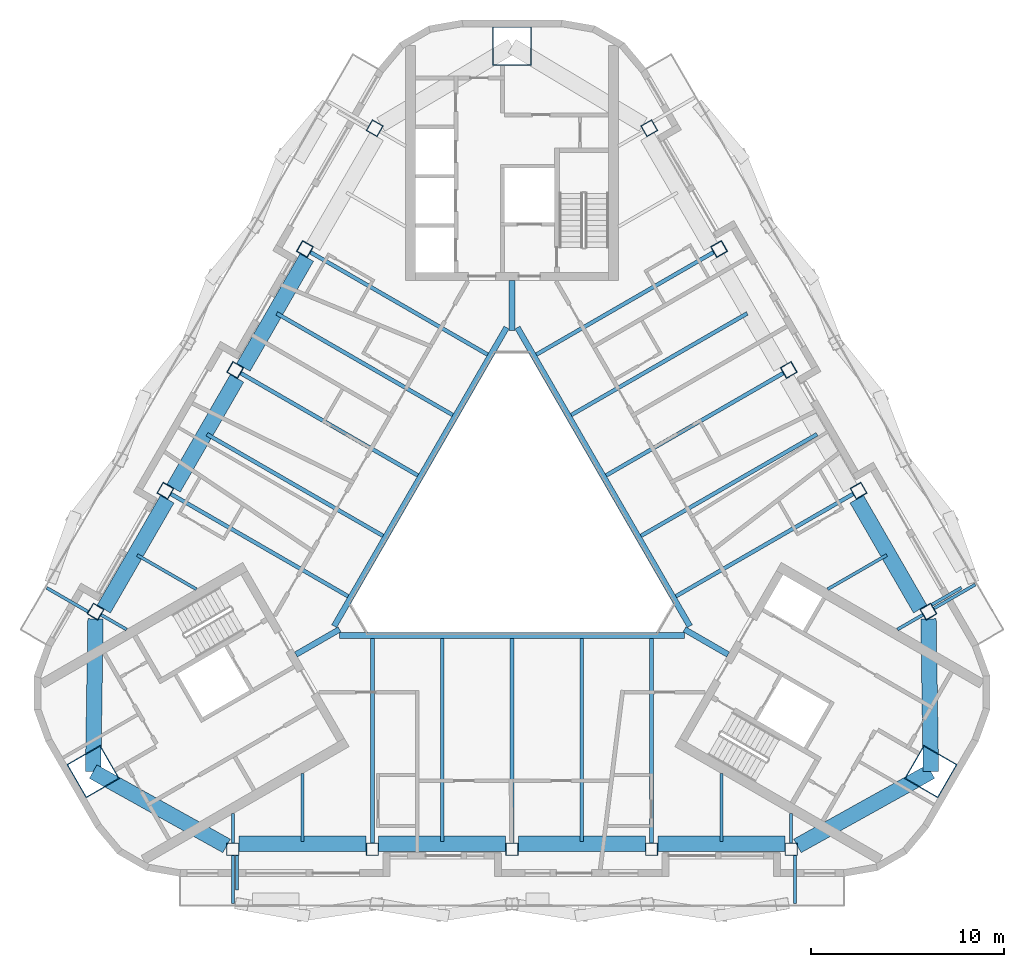
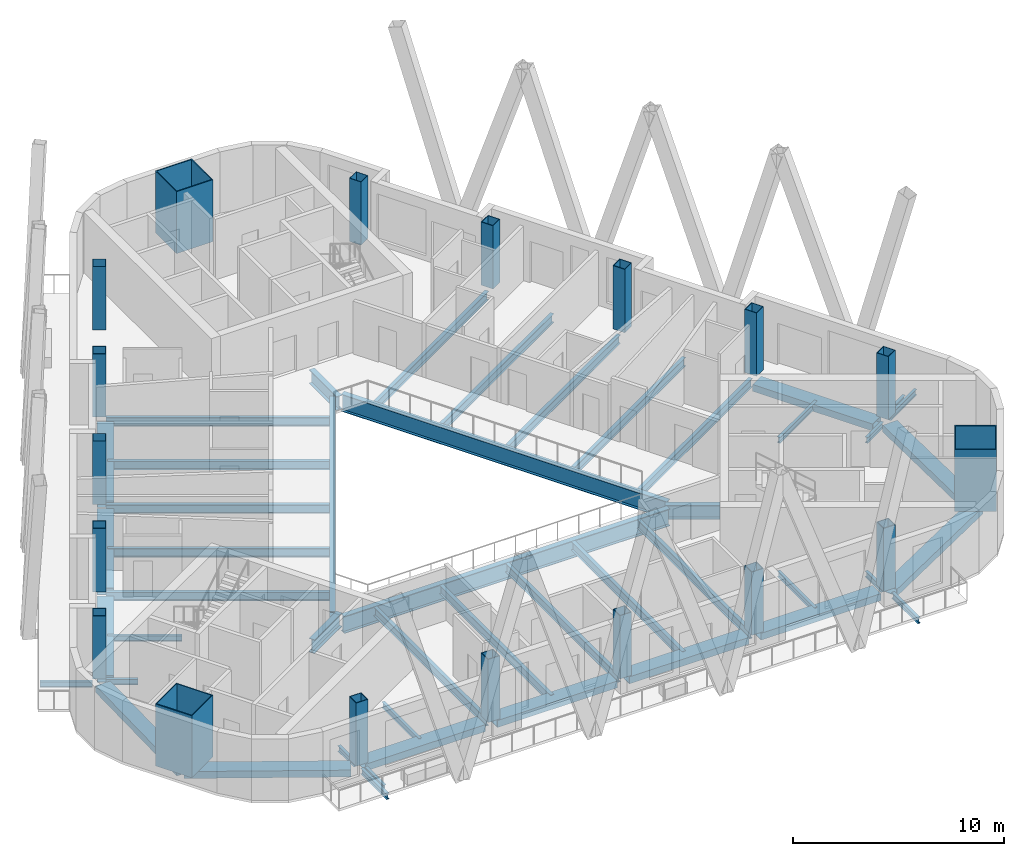
# One storey, part 1 of 13: 47 beams, 18 columns.
"""IFC4 building model written with IfcOpenShell, lengths in metres."""

import ifcopenshell
import ifcopenshell.guid

model = None  # the IFC model being written
_history = None  # IfcOwnerHistory: only IFC2X3 demands one
_inside = {}  # id of a spatial element -> (the spatial element, [elements in it])
_under = {}  # id of a project, library or spatial element -> (it, [spatial elements below it])
_declared = {}  # id of a project -> (the project, [libraries it declares])
_typed = {}  # id of a type object -> (the type object, [elements of that type])
_made_of = {}  # id of a material, layer set ... -> (it, [elements and type objects made of it])


def new_model(schema):
    """Start an empty IFC model of exactly this schema.

    Asked for "IFC4X3", IfcOpenShell would pick the latest addendum, in which some entities
    have other attributes; the version numbers below select the first issue.
    IFC2X3 requires an IfcOwnerHistory on every rooted entity: one is made here for all.
    """
    global model, _history
    if schema == "IFC4X3":
        model = ifcopenshell.file(schema_version=(4, 3, 0, 0))
    else:
        model = ifcopenshell.file(schema=schema)
    _inside.clear()
    _under.clear()
    _declared.clear()
    _typed.clear()
    _made_of.clear()
    _history = None
    if model.schema == "IFC2X3":
        org = make("IfcOrganization", Name="unknown")
        user = make(
            "IfcPersonAndOrganization",
            ThePerson=make("IfcPerson", FamilyName="unknown"),
            TheOrganization=org,
        )
        app = make(
            "IfcApplication",
            ApplicationDeveloper=org,
            Version="unknown",
            ApplicationFullName="unknown",
            ApplicationIdentifier="unknown",
        )
        _history = make(
            "IfcOwnerHistory",
            OwningUser=user,
            OwningApplication=app,
            ChangeAction="ADDED",
            CreationDate=0,
        )
    return model


def make(cls, **values):
    """One entity of the class cls with the attributes given. An attribute that is None is left unset."""
    return model.create_entity(
        cls, **{name: value for name, value in values.items() if value is not None}
    )


def rooted(cls, **values):
    """An entity with a GlobalId (a new one), such as an element, a storey or a relation."""
    return make(cls, GlobalId=ifcopenshell.guid.new(), OwnerHistory=_history, **values)


def si_unit(unit_type, name, prefix=None):
    """IfcSIUnit, for example si_unit("LENGTHUNIT", "METRE", prefix="MILLI")."""
    return make("IfcSIUnit", UnitType=unit_type, Prefix=prefix, Name=name)


def assignment(units):
    """IfcUnitAssignment: the units of a project."""
    return None if units is None else make("IfcUnitAssignment", Units=units)


def point(xyz):
    """IfcCartesianPoint."""
    return None if xyz is None else make("IfcCartesianPoint", Coordinates=xyz)


def direction(xyz):
    """IfcDirection."""
    return None if xyz is None else make("IfcDirection", DirectionRatios=xyz)


def frame(location, z_axis=None, x_axis=None):
    """IfcAxis2Placement3D, a coordinate frame: its origin and axes. An axis left out is left unset."""
    return make(
        "IfcAxis2Placement3D",
        Location=point(location),
        Axis=direction(z_axis),
        RefDirection=direction(x_axis),
    )


def frame_2d(location, x_axis=None):
    """IfcAxis2Placement2D, a coordinate frame in the plane: its origin and x axis."""
    return make(
        "IfcAxis2Placement2D", Location=point(location), RefDirection=direction(x_axis)
    )


def origin():
    """The frame at (0, 0, 0) with its axes left unset."""
    return frame((0.0, 0.0, 0.0))


def origin_2d():
    """The frame at (0, 0) in the plane with its x axis left unset."""
    return frame_2d((0.0, 0.0))


def place(relative_to, where):
    """IfcLocalPlacement: puts the frame where relative to a parent placement (None: the world)."""
    return make(
        "IfcLocalPlacement", PlacementRelTo=relative_to, RelativePlacement=where
    )


def context(
    kind, dimensions, precision=None, world=None, true_north=None, identifier=None
):
    """IfcGeometricRepresentationContext, for example the 3D "Model" context."""
    return make(
        "IfcGeometricRepresentationContext",
        ContextIdentifier=identifier,
        ContextType=kind,
        CoordinateSpaceDimension=dimensions,
        Precision=precision,
        WorldCoordinateSystem=world,
        TrueNorth=true_north,
    )


def subcontext(parent, identifier, kind, view, scale=None):
    """IfcGeometricRepresentationSubContext, for example "Body" below "Model"."""
    return make(
        "IfcGeometricRepresentationSubContext",
        ContextIdentifier=identifier,
        ContextType=kind,
        ParentContext=parent,
        TargetScale=scale,
        TargetView=view,
    )


def project(units=None, contexts=None):
    """IfcProject with its units and contexts."""
    return rooted(
        "IfcProject",
        Name="project",
        RepresentationContexts=contexts,
        UnitsInContext=assignment(units),
    )


def spatial(cls, under=None, at=None, **own):
    """A site, building, storey or space (cls), placed at a placement, below another one or the project."""
    s = rooted(cls, ObjectPlacement=at, **own)
    if under is not None:
        _under.setdefault(under.id(), (under, []))[1].append(s)
    return s


def profile(cls, at=None, kind="AREA", **sizes):
    """A parametric profile (cls). Its sizes go by their IFC names, for example OverallWidth=200.0."""
    return make(cls, ProfileType=kind, Position=at, **sizes)


def rectangle(**sizes):
    """IfcRectangleProfileDef."""
    return profile("IfcRectangleProfileDef", **sizes)


def hollow_rectangle(**sizes):
    """IfcRectangleHollowProfileDef."""
    return profile("IfcRectangleHollowProfileDef", **sizes)


def i_section(**sizes):
    """IfcIShapeProfileDef."""
    return profile("IfcIShapeProfileDef", **sizes)


def extrude(swept, where, along, depth):
    """IfcExtrudedAreaSolid: the profile swept, set in the frame where, extruded along a direction by depth."""
    return make(
        "IfcExtrudedAreaSolid",
        SweptArea=swept,
        Position=where,
        ExtrudedDirection=direction(along),
        Depth=depth,
    )


def boolean(op, a, b):
    """IfcBooleanResult of two solids."""
    return make("IfcBooleanResult", Operator=op, FirstOperand=a, SecondOperand=b)


def halfspace(plane, agree):
    """IfcHalfSpaceSolid: all space on one side of the plane z = 0 of the frame plane."""
    return make(
        "IfcHalfSpaceSolid",
        BaseSurface=make("IfcPlane", Position=plane),
        AgreementFlag=agree,
    )


def shape(context_of_items, identifier, shape_type, items):
    """IfcShapeRepresentation: the items that make up one representation, for example the "Body"."""
    return make(
        "IfcShapeRepresentation",
        ContextOfItems=context_of_items,
        RepresentationIdentifier=identifier,
        RepresentationType=shape_type,
        Items=items,
    )


def material(Name=None, Category=None):
    """IfcMaterial."""
    return make("IfcMaterial", Name=Name, Category=Category)


def material_profile(
    of_material, cross_section, Name=None, Category=None, Priority=None
):
    """IfcMaterialProfile: a cross section and its material."""
    return make(
        "IfcMaterialProfile",
        Name=Name,
        Material=of_material,
        Profile=cross_section,
        Priority=Priority,
        Category=Category,
    )


def profile_set(profiles, Name=None, composite=None):
    """IfcMaterialProfileSet."""
    return make(
        "IfcMaterialProfileSet",
        Name=Name,
        MaterialProfiles=profiles,
        CompositeProfile=composite,
    )


def made_of(thing, what):
    """Note that an element or type object is made of a material, layer set ...; save() writes the relation."""
    if what is not None:
        _made_of.setdefault(what.id(), (what, []))[1].append(thing)
    return thing


def type_object(cls, material=None, **own):
    """A type object (cls), such as IfcWallType, which elements share."""
    return made_of(rooted(cls, **own), material)


def element(
    cls,
    number,
    at=None,
    inside=None,
    cuts=None,
    type_object=None,
    material=None,
    context=None,
    identifier="Body",
    shape_type=None,
    held_by="IfcProductDefinitionShape",
    body=None,
    shapes=None,
    **own,
):
    """One element of the class cls, such as IfcWall. Its Tag is "e" and its number.

    at: its placement. inside: the storey or other place that contains it. cuts: it is an
    opening in that element (IfcRelVoidsElement). A single representation is given by context,
    identifier, shape_type and body (its items); several are given by shapes. held_by: the class
    of the entity that holds the representations. save() writes the other relations.
    """
    e = rooted(cls, Tag="e%d" % number, ObjectPlacement=at, **own)
    if body is not None:
        shapes = [shape(context, identifier, shape_type, body)]
    if shapes is not None:
        e.Representation = make(held_by, Representations=shapes)
    if inside is not None:
        _inside.setdefault(inside.id(), (inside, []))[1].append(e)
    if cuts is not None:
        rooted(
            "IfcRelVoidsElement", RelatingBuildingElement=cuts, RelatedOpeningElement=e
        )
    if type_object is not None:
        _typed.setdefault(type_object.id(), (type_object, []))[1].append(e)
    return made_of(e, material)


def aggregate(whole, parts):
    """IfcRelAggregates: a whole, such as a stair, and the parts it consists of."""
    return rooted("IfcRelAggregates", RelatingObject=whole, RelatedObjects=parts)


def save(model, path):
    """Write the relations noted so far, then the file.

    IfcRelAggregates (storeys below a building ...), IfcRelContainedInSpatialStructure (elements
    in a storey), IfcRelDefinesByType, IfcRelAssociatesMaterial and IfcRelDeclares: one each for
    every whole, place, type object, material and project.
    """
    for whole, parts in _under.values():
        aggregate(whole, parts)
    for where, things in _inside.values():
        rooted(
            "IfcRelContainedInSpatialStructure",
            RelatedElements=things,
            RelatingStructure=where,
        )
    for kind, things in _typed.values():
        rooted("IfcRelDefinesByType", RelatedObjects=things, RelatingType=kind)
    for what, things in _made_of.values():
        rooted("IfcRelAssociatesMaterial", RelatedObjects=things, RelatingMaterial=what)
    for by, libraries in _declared.values():
        rooted("IfcRelDeclares", RelatingContext=by, RelatedDefinitions=libraries)
    model.write(path)


model = new_model("IFC4")

# Units and contexts
model_context = context("Model", 3, precision=1e-05, world=origin(), true_north=direction((0.0, 1.0)))
body_context = subcontext(model_context, "Body", "Model", "MODEL_VIEW")
ifc_project = project(units=[si_unit("LENGTHUNIT", "METRE"), si_unit("AREAUNIT", "SQUARE_METRE"), si_unit("VOLUMEUNIT", "CUBIC_METRE"), si_unit("PLANEANGLEUNIT", "RADIAN"), si_unit("MASSUNIT", "GRAM", prefix="KILO")], contexts=[model_context])

# Site, building, storey
site_placement = place(None, origin())
site = spatial("IfcSite", under=ifc_project, at=site_placement, CompositionType="ELEMENT")
building_placement = place(site_placement, origin())
building = spatial("IfcBuilding", under=site, at=building_placement, Name="Apuvela Tower Hotel", CompositionType="ELEMENT")
storey_placement = place(building_placement, frame((0.0, 0.0, 280.0)))
storey = spatial("IfcBuildingStorey", under=building, at=storey_placement, Name="L69", CompositionType="ELEMENT", Elevation=280.0)

# Columns
ifc_material_1 = material(Name="Steel S460", Category="steel")
ifc_material_profile_1 = material_profile(ifc_material_1, hollow_rectangle(XDim=2.0, YDim=2.0, WallThickness=0.050048828125, at=origin_2d()), Name="BOX 2000x2000x50")
ifc_material_2 = material(Name="Concrete C80/95", Category="concrete")
ifc_material_profile_2 = material_profile(ifc_material_2, rectangle(XDim=1.89990234375, YDim=1.89990234375, at=origin_2d()), Name="Concrete C80/95 infill")
ifc_profile_set_1 = profile_set([ifc_material_profile_1, ifc_material_profile_2], Name="Steel S460")
column_type_1 = type_object("IfcColumnType", Name="STR-MC mega column BOX 2000x2000x50", PredefinedType="COLUMN", material=ifc_profile_set_1)
for number, where, z_axis, x_axis, name in (
    (1, (0.0, 25.0087890625, 0.0), (0.0, 0.0, 1.0), (1.0, 0.0, 0.0), "Mega column MC4 N"),
    (2, (-21.658203125, -12.50439453125, 0.0), (0.0, 0.0, 1.0), (-0.5, 0.866025403784, 0.0), "Mega column MC4 SW"),
    (3, (21.658203125, -12.50439453125, 0.0), (0.0, 0.0, 1.0), (0.5, 0.866025403784, 0.0), "Mega column MC4 SE"),
):
    element("IfcColumn", number, at=place(storey_placement, frame(where, z_axis=z_axis, x_axis=x_axis)), inside=storey, type_object=column_type_1, Name=name, PredefinedType="COLUMN", context=body_context, shape_type="SweptSolid", body=[
        boolean("DIFFERENCE", extrude(hollow_rectangle(XDim=2.0, YDim=2.0, WallThickness=0.050048828125, at=origin_2d()), origin(), (0.0, 0.0, 1.0), 3.699951171875), halfspace(frame((0.0, 0.0, 0.11328125), z_axis=(0.0, 0.0, 1.0), x_axis=(1.0, 0.0, 0.0)), True)),
    ])
ifc_material_profile_3 = material_profile(ifc_material_1, hollow_rectangle(XDim=0.64990234375, YDim=0.64990234375, WallThickness=0.030029296875, at=origin_2d()), Name="BOX 650x650x30")
ifc_material_profile_4 = material_profile(ifc_material_2, rectangle(XDim=0.590087890625, YDim=0.590087890625, at=origin_2d()), Name="Concrete C80/95 infill")
ifc_profile_set_2 = profile_set([ifc_material_profile_3, ifc_material_profile_4], Name="Steel S460")
column_type_2 = type_object("IfcColumnType", Name="STR-PC perimeter column BOX 650x650x30", PredefinedType="COLUMN", material=ifc_profile_set_2)
column_1_placement = place(storey_placement, frame((-14.4306640625, -16.52880859375, 0.0), z_axis=(0.0, 0.0, 1.0), x_axis=(-1.0, 0.0, 0.0)))
element("IfcColumn", 4, at=column_1_placement, inside=storey, type_object=column_type_2, Name="Perimeter column C6 S1", PredefinedType="COLUMN", context=body_context, shape_type="SweptSolid", body=[
    boolean("DIFFERENCE", extrude(hollow_rectangle(XDim=0.64990234375, YDim=0.64990234375, WallThickness=0.030029296875, at=origin_2d()), origin(), (0.0, 0.0, 1.0), 3.699951171875), halfspace(frame((0.0, 0.0, 0.046875), z_axis=(0.0, 0.0, 1.0), x_axis=(1.0, 0.0, 0.0)), True)),
])
column_2_placement = place(storey_placement, frame((-7.21533203125, -16.52880859375, 0.0), z_axis=(0.0, 0.0, 1.0), x_axis=(-1.0, 0.0, 0.0)))
element("IfcColumn", 5, at=column_2_placement, inside=storey, type_object=column_type_2, Name="Perimeter column C6 S2", PredefinedType="COLUMN", context=body_context, shape_type="SweptSolid", body=[
    boolean("DIFFERENCE", extrude(hollow_rectangle(XDim=0.64990234375, YDim=0.64990234375, WallThickness=0.030029296875, at=origin_2d()), origin(), (0.0, 0.0, 1.0), 3.699951171875), halfspace(frame((0.0, 0.0, 0.039794921875), z_axis=(0.0, 0.0, 1.0), x_axis=(1.0, 0.0, 0.0)), True)),
])
column_3_placement = place(storey_placement, frame((0.0, -16.52880859375, 0.0), z_axis=(0.0, 0.0, 1.0), x_axis=(-1.0, 0.0, 0.0)))
element("IfcColumn", 6, at=column_3_placement, inside=storey, type_object=column_type_2, Name="Perimeter column C6 S3", PredefinedType="COLUMN", context=body_context, shape_type="SweptSolid", body=[
    boolean("DIFFERENCE", extrude(hollow_rectangle(XDim=0.64990234375, YDim=0.64990234375, WallThickness=0.030029296875, at=origin_2d()), origin(), (0.0, 0.0, 1.0), 3.699951171875), halfspace(frame((0.0, 0.0, 0.037109375), z_axis=(0.0, 0.0, 1.0), x_axis=(1.0, 0.0, 0.0)), True)),
])
column_4_placement = place(storey_placement, frame((7.21533203125, -16.52880859375, 0.0), z_axis=(0.0, 0.0, 1.0), x_axis=(-1.0, 0.0, 0.0)))
element("IfcColumn", 7, at=column_4_placement, inside=storey, type_object=column_type_2, Name="Perimeter column C6 S4", PredefinedType="COLUMN", context=body_context, shape_type="SweptSolid", body=[
    boolean("DIFFERENCE", extrude(hollow_rectangle(XDim=0.64990234375, YDim=0.64990234375, WallThickness=0.030029296875, at=origin_2d()), origin(), (0.0, 0.0, 1.0), 3.699951171875), halfspace(frame((0.0, 0.0, 0.039794921875), z_axis=(0.0, 0.0, 1.0), x_axis=(1.0, 0.0, 0.0)), True)),
])
for number, where, z_axis, x_axis, name in (
    (8, (14.4306640625, -16.52880859375, 0.0), (0.0, 0.0, 1.0), (-1.0, 0.0, 0.0), "Perimeter column C6 S5"),
    (9, (21.529541015625, -4.23291015625, 0.0), (0.0, 0.0, 1.0), (-0.5, 0.866025403784, 0.0), "Perimeter column C6 NE1"),
):
    element("IfcColumn", number, at=place(storey_placement, frame(where, z_axis=z_axis, x_axis=x_axis)), inside=storey, type_object=column_type_2, Name=name, PredefinedType="COLUMN", context=body_context, shape_type="SweptSolid", body=[
        boolean("DIFFERENCE", extrude(hollow_rectangle(XDim=0.64990234375, YDim=0.64990234375, WallThickness=0.030029296875, at=origin_2d()), origin(), (0.0, 0.0, 1.0), 3.699951171875), halfspace(frame((0.0, 0.0, 0.046875), z_axis=(0.0, 0.0, 1.0), x_axis=(1.0, 0.0, 0.0)), True)),
    ])
column_5_placement = place(storey_placement, frame((17.922119140625, 2.015625, 0.0), z_axis=(0.0, 0.0, 1.0), x_axis=(-0.5, 0.866025403784, 0.0)))
element("IfcColumn", 10, at=column_5_placement, inside=storey, type_object=column_type_2, Name="Perimeter column C6 NE2", PredefinedType="COLUMN", context=body_context, shape_type="SweptSolid", body=[
    boolean("DIFFERENCE", extrude(hollow_rectangle(XDim=0.64990234375, YDim=0.64990234375, WallThickness=0.030029296875, at=origin_2d()), origin(), (0.0, 0.0, 1.0), 3.699951171875), halfspace(frame((0.0, 0.0, 0.039794921875), z_axis=(0.0, 0.0, 1.0), x_axis=(1.0, 0.0, 0.0)), True)),
])
column_6_placement = place(storey_placement, frame((14.314208984375, 8.264404296875, 0.0), z_axis=(0.0, 0.0, 1.0), x_axis=(-0.5, 0.866025403784, 0.0)))
element("IfcColumn", 11, at=column_6_placement, inside=storey, type_object=column_type_2, Name="Perimeter column C6 NE3", PredefinedType="COLUMN", context=body_context, shape_type="SweptSolid", body=[
    boolean("DIFFERENCE", extrude(hollow_rectangle(XDim=0.64990234375, YDim=0.64990234375, WallThickness=0.030029296875, at=origin_2d()), origin(), (0.0, 0.0, 1.0), 3.699951171875), halfspace(frame((0.0, 0.0, 0.037109375), z_axis=(0.0, 0.0, 1.0), x_axis=(1.0, 0.0, 0.0)), True)),
])
column_7_placement = place(storey_placement, frame((10.70654296875, 14.512939453125, 0.0), z_axis=(0.0, 0.0, 1.0), x_axis=(-0.5, 0.866025403784, 0.0)))
element("IfcColumn", 12, at=column_7_placement, inside=storey, type_object=column_type_2, Name="Perimeter column C6 NE4", PredefinedType="COLUMN", context=body_context, shape_type="SweptSolid", body=[
    boolean("DIFFERENCE", extrude(hollow_rectangle(XDim=0.64990234375, YDim=0.64990234375, WallThickness=0.030029296875, at=origin_2d()), origin(), (0.0, 0.0, 1.0), 3.699951171875), halfspace(frame((0.0, 0.0, 0.039794921875), z_axis=(0.0, 0.0, 1.0), x_axis=(1.0, 0.0, 0.0)), True)),
])
for number, where, z_axis, x_axis, name in (
    (13, (7.09912109375, 20.76171875, 0.0), (0.0, 0.0, 1.0), (-0.5, 0.866025403784, 0.0), "Perimeter column C6 NE5"),
    (14, (-7.09912109375, 20.76171875, 0.0), (0.0, 0.0, 1.0), (0.5, 0.866025403784, 0.0), "Perimeter column C6 NW1"),
):
    element("IfcColumn", number, at=place(storey_placement, frame(where, z_axis=z_axis, x_axis=x_axis)), inside=storey, type_object=column_type_2, Name=name, PredefinedType="COLUMN", context=body_context, shape_type="SweptSolid", body=[
        boolean("DIFFERENCE", extrude(hollow_rectangle(XDim=0.64990234375, YDim=0.64990234375, WallThickness=0.030029296875, at=origin_2d()), origin(), (0.0, 0.0, 1.0), 3.699951171875), halfspace(frame((0.0, 0.0, 0.046875), z_axis=(0.0, 0.0, 1.0), x_axis=(1.0, 0.0, 0.0)), True)),
    ])
column_8_placement = place(storey_placement, frame((-10.70654296875, 14.512939453125, 0.0), z_axis=(0.0, 0.0, 1.0), x_axis=(0.5, 0.866025403784, 0.0)))
element("IfcColumn", 15, at=column_8_placement, inside=storey, type_object=column_type_2, Name="Perimeter column C6 NW2", PredefinedType="COLUMN", context=body_context, shape_type="SweptSolid", body=[
    boolean("DIFFERENCE", extrude(hollow_rectangle(XDim=0.64990234375, YDim=0.64990234375, WallThickness=0.030029296875, at=origin_2d()), origin(), (0.0, 0.0, 1.0), 3.699951171875), halfspace(frame((0.0, 0.0, 0.039794921875), z_axis=(0.0, 0.0, 1.0), x_axis=(1.0, 0.0, 0.0)), True)),
])
column_9_placement = place(storey_placement, frame((-14.314208984375, 8.264404296875, 0.0), z_axis=(0.0, 0.0, 1.0), x_axis=(0.5, 0.866025403784, 0.0)))
element("IfcColumn", 16, at=column_9_placement, inside=storey, type_object=column_type_2, Name="Perimeter column C6 NW3", PredefinedType="COLUMN", context=body_context, shape_type="SweptSolid", body=[
    boolean("DIFFERENCE", extrude(hollow_rectangle(XDim=0.64990234375, YDim=0.64990234375, WallThickness=0.030029296875, at=origin_2d()), origin(), (0.0, 0.0, 1.0), 3.699951171875), halfspace(frame((0.0, 0.0, 0.037109375), z_axis=(0.0, 0.0, 1.0), x_axis=(1.0, 0.0, 0.0)), True)),
])
column_10_placement = place(storey_placement, frame((-17.922119140625, 2.015625, 0.0), z_axis=(0.0, 0.0, 1.0), x_axis=(0.5, 0.866025403784, 0.0)))
element("IfcColumn", 17, at=column_10_placement, inside=storey, type_object=column_type_2, Name="Perimeter column C6 NW4", PredefinedType="COLUMN", context=body_context, shape_type="SweptSolid", body=[
    boolean("DIFFERENCE", extrude(hollow_rectangle(XDim=0.64990234375, YDim=0.64990234375, WallThickness=0.030029296875, at=origin_2d()), origin(), (0.0, 0.0, 1.0), 3.699951171875), halfspace(frame((0.0, 0.0, 0.039794921875), z_axis=(0.0, 0.0, 1.0), x_axis=(1.0, 0.0, 0.0)), True)),
])
column_11_placement = place(storey_placement, frame((-21.529541015625, -4.23291015625, 0.0), z_axis=(0.0, 0.0, 1.0), x_axis=(0.5, 0.866025403784, 0.0)))
element("IfcColumn", 18, at=column_11_placement, inside=storey, type_object=column_type_2, Name="Perimeter column C6 NW5", PredefinedType="COLUMN", context=body_context, shape_type="SweptSolid", body=[
    boolean("DIFFERENCE", extrude(hollow_rectangle(XDim=0.64990234375, YDim=0.64990234375, WallThickness=0.030029296875, at=origin_2d()), origin(), (0.0, 0.0, 1.0), 3.699951171875), halfspace(frame((0.0, 0.0, 0.046875), z_axis=(0.0, 0.0, 1.0), x_axis=(1.0, 0.0, 0.0)), True)),
])

# Beams
ifc_material_3 = material(Name="Steel S355", Category="steel")
ifc_material_profile_5 = material_profile(ifc_material_3, i_section(OverallWidth=0.159912109375, OverallDepth=0.330078125, WebThickness=0.007568359375, FlangeThickness=0.011474609375, at=origin_2d()), Name="IPE 330")
ifc_profile_set_3 = profile_set([ifc_material_profile_5], Name="Steel S355")
beam_type_1 = type_object("IfcBeamType", Name="ENV-BALCONY-BEAM-IPE330", PredefinedType="BEAM", material=ifc_profile_set_3)
beam_1_placement = place(storey_placement, frame((-14.4306640625, -16.853759765625, -0.31494140625), z_axis=(0.0, -1.0, 0.0), x_axis=(1.0, 0.0, 0.0)))
element("IfcBeam", 19, at=beam_1_placement, inside=storey, type_object=beam_type_1, Name="Balcony cantilever beam S1 L69", PredefinedType="BEAM", context=body_context, shape_type="SweptSolid", body=[
    extrude(i_section(OverallWidth=0.159912109375, OverallDepth=0.330078125, WebThickness=0.007568359375, FlangeThickness=0.011474609375, at=origin_2d()), origin(), (0.0, 0.0, 1.0), 2.474853515625),
])
beam_2_placement = place(storey_placement, frame((-14.210693359375, -16.853759765625, -0.31494140625), z_axis=(0.0, -1.0, 0.0), x_axis=(1.0, 0.0, 0.0)))
element("IfcBeam", 20, at=beam_2_placement, inside=storey, type_object=beam_type_1, Name="Balcony cantilever beam S2 L69", PredefinedType="BEAM", context=body_context, shape_type="SweptSolid", body=[
    extrude(i_section(OverallWidth=0.159912109375, OverallDepth=0.330078125, WebThickness=0.007568359375, FlangeThickness=0.011474609375, at=origin_2d()), origin(), (0.0, 0.0, 1.0), 1.77490234375),
])
beam_3_placement = place(storey_placement, frame((14.630615234375, -16.853759765625, -0.31494140625), z_axis=(0.0, -1.0, 0.0), x_axis=(1.0, 0.0, 0.0)))
element("IfcBeam", 21, at=beam_3_placement, inside=storey, type_object=beam_type_1, Name="Balcony cantilever beam S3 L69", PredefinedType="BEAM", context=body_context, shape_type="SweptSolid", body=[
    extrude(i_section(OverallWidth=0.159912109375, OverallDepth=0.330078125, WebThickness=0.007568359375, FlangeThickness=0.011474609375, at=origin_2d()), origin(), (0.0, 0.0, 1.0), 2.474853515625),
])
beam_4_placement = place(storey_placement, frame((21.81103515625, -4.070556640625, -0.31494140625), z_axis=(0.866031185235, 0.4999899861, 0.0), x_axis=(-0.4999899861, 0.866031185235, 0.0)))
element("IfcBeam", 22, at=beam_4_placement, inside=storey, type_object=beam_type_1, Name="Balcony cantilever beam NE1 L69", PredefinedType="BEAM", context=body_context, shape_type="SweptSolid", body=[
    extrude(i_section(OverallWidth=0.159912109375, OverallDepth=0.330078125, WebThickness=0.007568359375, FlangeThickness=0.011474609375, at=origin_2d()), origin(), (0.0, 0.0, 1.0), 2.47509765625),
])
beam_5_placement = place(storey_placement, frame((21.701171875, -3.8798828125, -0.31494140625), z_axis=(0.866025242659, 0.500000279077, 0.0), x_axis=(-0.500000279077, 0.866025242659, 0.0)))
element("IfcBeam", 23, at=beam_5_placement, inside=storey, type_object=beam_type_1, Name="Balcony cantilever beam NE2 L69", PredefinedType="BEAM", context=body_context, shape_type="SweptSolid", body=[
    extrude(i_section(OverallWidth=0.159912109375, OverallDepth=0.330078125, WebThickness=0.007568359375, FlangeThickness=0.011474609375, at=origin_2d()), origin(), (0.0, 0.0, 1.0), 1.77490234375),
])
beam_6_placement = place(storey_placement, frame((-21.9111328125, -4.24365234375, -0.31494140625), z_axis=(-0.866006523861, 0.500032699561, 0.0), x_axis=(-0.500032699561, -0.866006523861, 0.0)))
element("IfcBeam", 24, at=beam_6_placement, inside=storey, type_object=beam_type_1, Name="Balcony cantilever beam NW3 L69", PredefinedType="BEAM", context=body_context, shape_type="SweptSolid", body=[
    extrude(i_section(OverallWidth=0.159912109375, OverallDepth=0.330078125, WebThickness=0.007568359375, FlangeThickness=0.011474609375, at=origin_2d()), origin(), (0.0, 0.0, 1.0), 2.474853515625),
])
ifc_material_profile_6 = material_profile(ifc_material_3, i_section(OverallWidth=0.159912109375, OverallDepth=0.330078125, WebThickness=0.007568359375, FlangeThickness=0.011474609375, at=origin_2d()), Name="IPE 330")
ifc_profile_set_4 = profile_set([ifc_material_profile_6], Name="Steel S355")
beam_type_2 = type_object("IfcBeamType", Name="STR-B floor beam IPE 330", PredefinedType="BEAM", material=ifc_profile_set_4)
beam_7_placement = place(storey_placement, frame((21.248291015625, -4.3955078125, -0.31494140625), z_axis=(-0.866092063448, -0.499884524299, 0.0), x_axis=(0.499884524299, -0.866092063448, 0.0)))
element("IfcBeam", 25, at=beam_7_placement, inside=storey, type_object=beam_type_2, Name="Floor beam B1 NE1", PredefinedType="BEAM", context=body_context, shape_type="SweptSolid", body=[
    extrude(i_section(OverallWidth=0.159912109375, OverallDepth=0.330078125, WebThickness=0.007568359375, FlangeThickness=0.011474609375, at=origin_2d()), origin(), (0.0, 0.0, 1.0), 1.521240234375),
])
for number, where, z_axis, x_axis, name in (
    (26, (19.37939453125, -1.30859375, -0.31494140625), (-0.866020851292, -0.500007885066, 0.0), (0.500007885066, -0.866020851292, 0.0), "Floor beam B1 NE2"),
    (27, (-19.37939453125, -1.30859375, -0.31494140625), (0.866020851292, -0.500007885066, 0.0), (0.500007885066, 0.866020851292, 0.0), "Floor beam B1 NW8"),
):
    element("IfcBeam", number, at=place(storey_placement, frame(where, z_axis=z_axis, x_axis=x_axis)), inside=storey, type_object=beam_type_2, Name=name, PredefinedType="BEAM", context=body_context, shape_type="SweptSolid", body=[
        extrude(i_section(OverallWidth=0.159912109375, OverallDepth=0.330078125, WebThickness=0.007568359375, FlangeThickness=0.011474609375, at=origin_2d()), origin(), (0.0, 0.0, 1.0), 3.529296875),
    ])
for number, where, z_axis, x_axis, name in (
    (28, (-21.248291015625, -4.3955078125, -0.31494140625), (0.866092063448, -0.499884524299, 0.0), (0.499884524299, 0.866092063448, 0.0), "Floor beam B1 NW9"),
    (29, (-14.4306640625, -16.20361328125, -0.31494140625), (0.0, 1.0, 0.0), (-1.0, 0.0, 0.0), "Floor beam B1 S1"),
):
    element("IfcBeam", number, at=place(storey_placement, frame(where, z_axis=z_axis, x_axis=x_axis)), inside=storey, type_object=beam_type_2, Name=name, PredefinedType="BEAM", context=body_context, shape_type="SweptSolid", body=[
        extrude(i_section(OverallWidth=0.159912109375, OverallDepth=0.330078125, WebThickness=0.007568359375, FlangeThickness=0.011474609375, at=origin_2d()), origin(), (0.0, 0.0, 1.0), 1.521240234375),
    ])
for number, where, z_axis, x_axis, name in (
    (30, (-10.822998046875, -16.128662109375, -0.31494140625), (0.0, 1.0, 0.0), (-1.0, 0.0, 0.0), "Floor beam B1 S2"),
    (31, (10.822998046875, -16.128662109375, -0.31494140625), (0.0, 1.0, 0.0), (-1.0, 0.0, 0.0), "Floor beam B1 S8"),
):
    element("IfcBeam", number, at=place(storey_placement, frame(where, z_axis=z_axis, x_axis=x_axis)), inside=storey, type_object=beam_type_2, Name=name, PredefinedType="BEAM", context=body_context, shape_type="SweptSolid", body=[
        extrude(i_section(OverallWidth=0.159912109375, OverallDepth=0.330078125, WebThickness=0.007568359375, FlangeThickness=0.011474609375, at=origin_2d()), origin(), (0.0, 0.0, 1.0), 3.529052734375),
    ])
beam_8_placement = place(storey_placement, frame((14.4306640625, -16.20361328125, -0.31494140625), z_axis=(0.0, 1.0, 0.0), x_axis=(-1.0, 0.0, 0.0)))
element("IfcBeam", 32, at=beam_8_placement, inside=storey, type_object=beam_type_2, Name="Floor beam B1 S9", PredefinedType="BEAM", context=body_context, shape_type="SweptSolid", body=[
    extrude(i_section(OverallWidth=0.159912109375, OverallDepth=0.330078125, WebThickness=0.007568359375, FlangeThickness=0.011474609375, at=origin_2d()), origin(), (0.0, 0.0, 1.0), 1.521240234375),
])
ifc_material_profile_7 = material_profile(ifc_material_3, i_section(OverallWidth=0.199951171875, OverallDepth=0.5, WebThickness=0.01025390625, FlangeThickness=0.01611328125, at=origin_2d()), Name="IPE 500")
ifc_profile_set_5 = profile_set([ifc_material_profile_7], Name="Steel S355")
beam_type_3 = type_object("IfcBeamType", Name="STR-B floor beam IPE 500", PredefinedType="BEAM", material=ifc_profile_set_5)
beam_9_placement = place(storey_placement, frame((17.640380859375, 1.853271484375, -0.39990234375), z_axis=(-0.866020021501, -0.500009322272, 0.0), x_axis=(0.500009322272, -0.866020021501, 0.0)))
element("IfcBeam", 33, at=beam_9_placement, inside=storey, type_object=beam_type_3, Name="Floor beam B3 NE3", PredefinedType="BEAM", context=body_context, shape_type="SweptSolid", body=[
    extrude(i_section(OverallWidth=0.199951171875, OverallDepth=0.5, WebThickness=0.01025390625, FlangeThickness=0.01611328125, at=origin_2d()), origin(), (0.0, 0.0, 1.0), 10.583740234375),
])
beam_10_placement = place(storey_placement, frame((15.771728515625, 4.93994140625, -0.39990234375), z_axis=(-0.866034316586, -0.499984562257, 0.0), x_axis=(0.499984562257, -0.866034316586, 0.0)))
element("IfcBeam", 34, at=beam_10_placement, inside=storey, type_object=beam_type_3, Name="Floor beam B3 NE4", PredefinedType="BEAM", context=body_context, shape_type="SweptSolid", body=[
    extrude(i_section(OverallWidth=0.199951171875, OverallDepth=0.5, WebThickness=0.01025390625, FlangeThickness=0.01611328125, at=origin_2d()), origin(), (0.0, 0.0, 1.0), 10.508544921875),
])
beam_11_placement = place(storey_placement, frame((14.03271484375, 8.101806640625, -0.39990234375), z_axis=(-0.866024243143, -0.500002010285, 0.0), x_axis=(0.500002010285, -0.866024243143, 0.0)))
element("IfcBeam", 35, at=beam_11_placement, inside=storey, type_object=beam_type_3, Name="Floor beam B3 NE5", PredefinedType="BEAM", context=body_context, shape_type="SweptSolid", body=[
    extrude(i_section(OverallWidth=0.199951171875, OverallDepth=0.5, WebThickness=0.01025390625, FlangeThickness=0.01611328125, at=origin_2d()), origin(), (0.0, 0.0, 1.0), 10.58349609375),
])
beam_12_placement = place(storey_placement, frame((12.1640625, 11.188720703125, -0.39990234375), z_axis=(-0.866024256809, -0.500001986615, 0.0), x_axis=(0.500001986615, -0.866024256809, 0.0)))
element("IfcBeam", 36, at=beam_12_placement, inside=storey, type_object=beam_type_3, Name="Floor beam B3 NE6", PredefinedType="BEAM", context=body_context, shape_type="SweptSolid", body=[
    extrude(i_section(OverallWidth=0.199951171875, OverallDepth=0.5, WebThickness=0.01025390625, FlangeThickness=0.01611328125, at=origin_2d()), origin(), (0.0, 0.0, 1.0), 10.5087890625),
])
for number, where, z_axis, x_axis, name in (
    (37, (10.42529296875, 14.3505859375, -0.39990234375), (-0.866020021501, -0.500009322272, 0.0), (0.500009322272, -0.866020021501, 0.0), "Floor beam B3 NE7"),
    (38, (-10.42529296875, 14.3505859375, -0.39990234375), (0.866020021501, -0.500009322272, 0.0), (0.500009322272, 0.866020021501, 0.0), "Floor beam B3 NW3"),
):
    element("IfcBeam", number, at=place(storey_placement, frame(where, z_axis=z_axis, x_axis=x_axis)), inside=storey, type_object=beam_type_3, Name=name, PredefinedType="BEAM", context=body_context, shape_type="SweptSolid", body=[
        extrude(i_section(OverallWidth=0.199951171875, OverallDepth=0.5, WebThickness=0.01025390625, FlangeThickness=0.01611328125, at=origin_2d()), origin(), (0.0, 0.0, 1.0), 10.583740234375),
    ])
beam_13_placement = place(storey_placement, frame((-12.1640625, 11.188720703125, -0.39990234375), z_axis=(0.866024256809, -0.500001986615, 0.0), x_axis=(0.500001986615, 0.866024256809, 0.0)))
element("IfcBeam", 39, at=beam_13_placement, inside=storey, type_object=beam_type_3, Name="Floor beam B3 NW4", PredefinedType="BEAM", context=body_context, shape_type="SweptSolid", body=[
    extrude(i_section(OverallWidth=0.199951171875, OverallDepth=0.5, WebThickness=0.01025390625, FlangeThickness=0.01611328125, at=origin_2d()), origin(), (0.0, 0.0, 1.0), 10.5087890625),
])
beam_14_placement = place(storey_placement, frame((-14.03271484375, 8.101806640625, -0.39990234375), z_axis=(0.866024243143, -0.500002010285, 0.0), x_axis=(0.500002010285, 0.866024243143, 0.0)))
element("IfcBeam", 40, at=beam_14_placement, inside=storey, type_object=beam_type_3, Name="Floor beam B3 NW5", PredefinedType="BEAM", context=body_context, shape_type="SweptSolid", body=[
    extrude(i_section(OverallWidth=0.199951171875, OverallDepth=0.5, WebThickness=0.01025390625, FlangeThickness=0.01611328125, at=origin_2d()), origin(), (0.0, 0.0, 1.0), 10.58349609375),
])
beam_15_placement = place(storey_placement, frame((-15.771728515625, 4.93994140625, -0.39990234375), z_axis=(0.866034316586, -0.499984562257, 0.0), x_axis=(0.499984562257, 0.866034316586, 0.0)))
element("IfcBeam", 41, at=beam_15_placement, inside=storey, type_object=beam_type_3, Name="Floor beam B3 NW6", PredefinedType="BEAM", context=body_context, shape_type="SweptSolid", body=[
    extrude(i_section(OverallWidth=0.199951171875, OverallDepth=0.5, WebThickness=0.01025390625, FlangeThickness=0.01611328125, at=origin_2d()), origin(), (0.0, 0.0, 1.0), 10.508544921875),
])
beam_16_placement = place(storey_placement, frame((-17.640380859375, 1.853271484375, -0.39990234375), z_axis=(0.866020021501, -0.500009322272, 0.0), x_axis=(0.500009322272, 0.866020021501, 0.0)))
element("IfcBeam", 42, at=beam_16_placement, inside=storey, type_object=beam_type_3, Name="Floor beam B3 NW7", PredefinedType="BEAM", context=body_context, shape_type="SweptSolid", body=[
    extrude(i_section(OverallWidth=0.199951171875, OverallDepth=0.5, WebThickness=0.01025390625, FlangeThickness=0.01611328125, at=origin_2d()), origin(), (0.0, 0.0, 1.0), 10.583740234375),
])
beam_17_placement = place(storey_placement, frame((-7.21533203125, -16.20361328125, -0.39990234375), z_axis=(0.0, 1.0, 0.0), x_axis=(-1.0, 0.0, 0.0)))
element("IfcBeam", 43, at=beam_17_placement, inside=storey, type_object=beam_type_3, Name="Floor beam B3 S3", PredefinedType="BEAM", context=body_context, shape_type="SweptSolid", body=[
    extrude(i_section(OverallWidth=0.199951171875, OverallDepth=0.5, WebThickness=0.01025390625, FlangeThickness=0.01611328125, at=origin_2d()), origin(), (0.0, 0.0, 1.0), 10.58349609375),
])
beam_18_placement = place(storey_placement, frame((-3.607666015625, -16.128662109375, -0.39990234375), z_axis=(0.0, 1.0, 0.0), x_axis=(-1.0, 0.0, 0.0)))
element("IfcBeam", 44, at=beam_18_placement, inside=storey, type_object=beam_type_3, Name="Floor beam B3 S4", PredefinedType="BEAM", context=body_context, shape_type="SweptSolid", body=[
    extrude(i_section(OverallWidth=0.199951171875, OverallDepth=0.5, WebThickness=0.01025390625, FlangeThickness=0.01611328125, at=origin_2d()), origin(), (0.0, 0.0, 1.0), 10.508544921875),
])
beam_19_placement = place(storey_placement, frame((0.0, -16.20361328125, -0.39990234375), z_axis=(0.0, 1.0, 0.0), x_axis=(-1.0, 0.0, 0.0)))
element("IfcBeam", 45, at=beam_19_placement, inside=storey, type_object=beam_type_3, Name="Floor beam B3 S5", PredefinedType="BEAM", context=body_context, shape_type="SweptSolid", body=[
    extrude(i_section(OverallWidth=0.199951171875, OverallDepth=0.5, WebThickness=0.01025390625, FlangeThickness=0.01611328125, at=origin_2d()), origin(), (0.0, 0.0, 1.0), 10.58349609375),
])
beam_20_placement = place(storey_placement, frame((3.607666015625, -16.128662109375, -0.39990234375), z_axis=(0.0, 1.0, 0.0), x_axis=(-1.0, 0.0, 0.0)))
element("IfcBeam", 46, at=beam_20_placement, inside=storey, type_object=beam_type_3, Name="Floor beam B3 S6", PredefinedType="BEAM", context=body_context, shape_type="SweptSolid", body=[
    extrude(i_section(OverallWidth=0.199951171875, OverallDepth=0.5, WebThickness=0.01025390625, FlangeThickness=0.01611328125, at=origin_2d()), origin(), (0.0, 0.0, 1.0), 10.508544921875),
])
beam_21_placement = place(storey_placement, frame((7.21533203125, -16.20361328125, -0.39990234375), z_axis=(0.0, 1.0, 0.0), x_axis=(-1.0, 0.0, 0.0)))
element("IfcBeam", 47, at=beam_21_placement, inside=storey, type_object=beam_type_3, Name="Floor beam B3 S7", PredefinedType="BEAM", context=body_context, shape_type="SweptSolid", body=[
    extrude(i_section(OverallWidth=0.199951171875, OverallDepth=0.5, WebThickness=0.01025390625, FlangeThickness=0.01611328125, at=origin_2d()), origin(), (0.0, 0.0, 1.0), 10.58349609375),
])
ifc_material_profile_8 = material_profile(ifc_material_3, i_section(OverallWidth=0.300048828125, OverallDepth=0.989990234375, WebThickness=0.0166015625, FlangeThickness=0.031005859375, at=origin_2d()), Name="HE 1000 A")
ifc_profile_set_6 = profile_set([ifc_material_profile_8], Name="Steel S355")
beam_type_4 = type_object("IfcBeamType", Name="STR-G atrium ring girder HE 1000 A", PredefinedType="BEAM", material=ifc_profile_set_6)
beam_22_placement = place(storey_placement, frame((-0.27978515625, 10.455078125, -0.64501953125), z_axis=(-0.500006541319, -0.866021627119, 0.0), x_axis=(0.866021627119, -0.500006541319, 0.0)))
element("IfcBeam", 48, at=beam_22_placement, inside=storey, type_object=beam_type_4, Name="Atrium ring girder G3 N-SW", PredefinedType="BEAM", context=body_context, shape_type="SweptSolid", body=[
    extrude(i_section(OverallWidth=0.300048828125, OverallDepth=0.989990234375, WebThickness=0.0166015625, FlangeThickness=0.031005859375, at=origin_2d()), origin(), (0.0, 0.0, 1.0), 17.828857421875),
])
beam_23_placement = place(storey_placement, frame((-8.91455078125, -5.469970703125, -0.64501953125), z_axis=(1.0, 0.0, 0.0), x_axis=(0.0, 1.0, 0.0)))
element("IfcBeam", 49, at=beam_23_placement, inside=storey, type_object=beam_type_4, Name="Atrium ring girder G3 SW-SE", PredefinedType="BEAM", context=body_context, shape_type="SweptSolid", body=[
    extrude(i_section(OverallWidth=0.300048828125, OverallDepth=0.989990234375, WebThickness=0.0166015625, FlangeThickness=0.031005859375, at=origin_2d()), origin(), (0.0, 0.0, 1.0), 17.8291015625),
])
beam_24_placement = place(storey_placement, frame((9.1943359375, -4.985107421875, -0.64501953125), z_axis=(-0.500006541319, 0.866021627119, 0.0), x_axis=(-0.866021627119, -0.500006541319, 0.0)))
element("IfcBeam", 50, at=beam_24_placement, inside=storey, type_object=beam_type_4, Name="Atrium ring girder G3 SE-N", PredefinedType="BEAM", context=body_context, shape_type="SweptSolid", body=[
    extrude(i_section(OverallWidth=0.300048828125, OverallDepth=0.989990234375, WebThickness=0.0166015625, FlangeThickness=0.031005859375, at=origin_2d()), origin(), (0.0, 0.0, 1.0), 17.828857421875),
])
ifc_material_profile_9 = material_profile(ifc_material_3, i_section(OverallWidth=0.300048828125, OverallDepth=0.800048828125, WebThickness=0.017578125, FlangeThickness=0.032958984375, at=origin_2d()), Name="HE 800 B")
ifc_profile_set_7 = profile_set([ifc_material_profile_9], Name="Steel S355")
beam_type_5 = type_object("IfcBeamType", Name="STR-GT core tie beam HE 800 B", PredefinedType="BEAM", material=ifc_profile_set_7)
for number, where, z_axis, x_axis, name in (
    (51, (0.0, 12.89990234375, -0.550048828125), (0.0, -1.0, 0.0), (1.0, 0.0, 0.0), "Core tie beam GT1 N"),
    (52, (-11.171630859375, -6.449951171875, -0.550048828125), (0.865997922154, 0.500047596559, 0.0), (-0.500047596559, 0.865997922154, 0.0), "Core tie beam GT1 SW"),
    (53, (11.171630859375, -6.449951171875, -0.550048828125), (-0.865997922154, 0.500047596559, 0.0), (-0.500047596559, -0.865997922154, 0.0), "Core tie beam GT1 SE"),
):
    element("IfcBeam", number, at=place(storey_placement, frame(where, z_axis=z_axis, x_axis=x_axis)), inside=storey, type_object=beam_type_5, Name=name, PredefinedType="BEAM", context=body_context, shape_type="SweptSolid", body=[
        extrude(i_section(OverallWidth=0.300048828125, OverallDepth=0.800048828125, WebThickness=0.017578125, FlangeThickness=0.032958984375, at=origin_2d()), origin(), (0.0, 0.0, 1.0), 2.599853515625),
    ])
ifc_material_profile_10 = material_profile(ifc_material_1, hollow_rectangle(XDim=0.800048828125, YDim=0.39990234375, WallThickness=0.02490234375, at=origin_2d()), Name="BOX 800x400x25")
ifc_profile_set_8 = profile_set([ifc_material_profile_10], Name="Steel S460")
beam_type_6 = type_object("IfcBeamType", Name="STR-RB perimeter ring beam BOX 800x400x25", PredefinedType="SPANDREL", material=ifc_profile_set_8)
for number, where, z_axis, x_axis, name in (
    (54, (-14.105712890625, -16.228759765625, -0.39990234375), (1.0, 0.0, 0.0), (0.0, 1.0, 0.0), "Ring beam RB1 S1"),
    (55, (-6.890380859375, -16.228759765625, -0.39990234375), (1.0, 0.0, 0.0), (0.0, 1.0, 0.0), "Ring beam RB1 S2"),
    (56, (0.324951171875, -16.228759765625, -0.39990234375), (1.0, 0.0, 0.0), (0.0, 1.0, 0.0), "Ring beam RB1 S3"),
    (57, (7.540283203125, -16.228759765625, -0.39990234375), (1.0, 0.0, 0.0), (0.0, 1.0, 0.0), "Ring beam RB1 S4"),
    (58, (21.107421875, -4.1015625, -0.39990234375), (-0.500002498361, 0.86602396135, 0.0), (-0.86602396135, -0.500002498361, 0.0), "Ring beam RB1 NE1"),
    (59, (-10.609375, 14.08154296875, -0.39990234375), (-0.500002498361, -0.86602396135, 0.0), (0.86602396135, -0.500002498361, 0.0), "Ring beam RB1 NW2"),
    (60, (-14.217041015625, 7.8330078125, -0.39990234375), (-0.500002498361, -0.86602396135, 0.0), (0.86602396135, -0.500002498361, 0.0), "Ring beam RB1 NW3"),
    (61, (-17.82470703125, 1.584228515625, -0.39990234375), (-0.500002498361, -0.86602396135, 0.0), (0.86602396135, -0.500002498361, 0.0), "Ring beam RB1 NW4"),
):
    element("IfcBeam", number, at=place(storey_placement, frame(where, z_axis=z_axis, x_axis=x_axis)), inside=storey, type_object=beam_type_6, Name=name, PredefinedType="SPANDREL", context=body_context, shape_type="SweptSolid", body=[
        extrude(hollow_rectangle(XDim=0.800048828125, YDim=0.39990234375, WallThickness=0.02490234375, at=origin_2d()), origin(), (0.0, 0.0, 1.0), 6.5654296875),
    ])
for number, where, z_axis, x_axis, name in (
    (62, (-14.755615234375, -16.347900390625, -0.39990234375), (-0.873687509842, 0.486487548808, 0.0), (-0.486487548808, -0.873687509842, 0.0), "Ring beam RB1 S1-SW"),
    (63, (14.755615234375, -16.347900390625, -0.39990234375), (0.873687509842, 0.486487548808, 0.0), (-0.486487548808, 0.873687509842, 0.0), "Ring beam RB1 S5-SE"),
):
    element("IfcBeam", number, at=place(storey_placement, frame(where, z_axis=z_axis, x_axis=x_axis)), inside=storey, type_object=beam_type_6, Name=name, PredefinedType="SPANDREL", context=body_context, shape_type="SweptSolid", body=[
        extrude(hollow_rectangle(XDim=0.800048828125, YDim=0.39990234375, WallThickness=0.02490234375, at=origin_2d()), origin(), (0.0, 0.0, 1.0), 7.900634765625),
    ])
for number, where, z_axis, x_axis, name in (
    (64, (21.535400390625, -4.60498046875, -0.39990234375), (0.01554392479, -0.999879185903, 0.0), (0.999879185903, 0.01554392479, 0.0), "Ring beam RB1 NE1-SE"),
    (65, (-21.535400390625, -4.60498046875, -0.39990234375), (-0.01554392479, -0.999879185903, 0.0), (0.999879185903, -0.01554392479, 0.0), "Ring beam RB1 NW5-SW"),
):
    element("IfcBeam", number, at=place(storey_placement, frame(where, z_axis=z_axis, x_axis=x_axis)), inside=storey, type_object=beam_type_6, Name=name, PredefinedType="SPANDREL", context=body_context, shape_type="SweptSolid", body=[
        extrude(hollow_rectangle(XDim=0.800048828125, YDim=0.39990234375, WallThickness=0.02490234375, at=origin_2d()), origin(), (0.0, 0.0, 1.0), 7.900390625),
    ])

save(model, "model.ifc")
